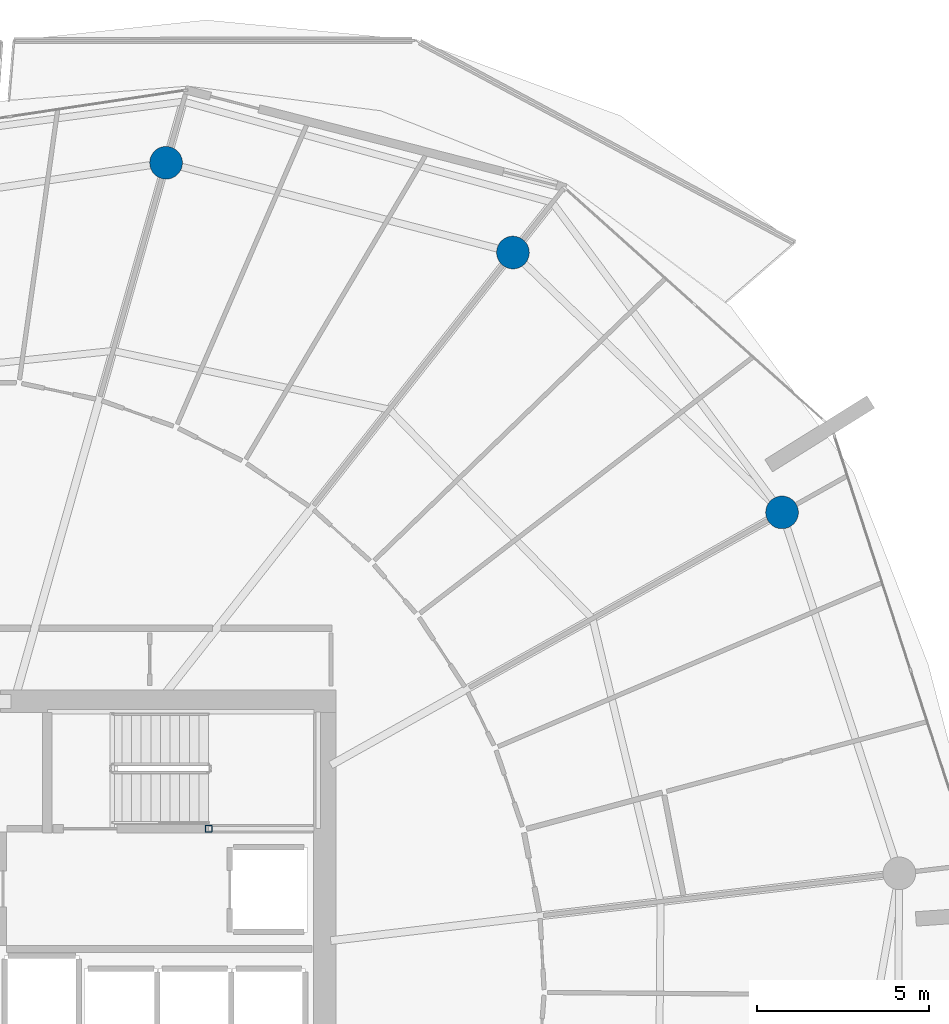
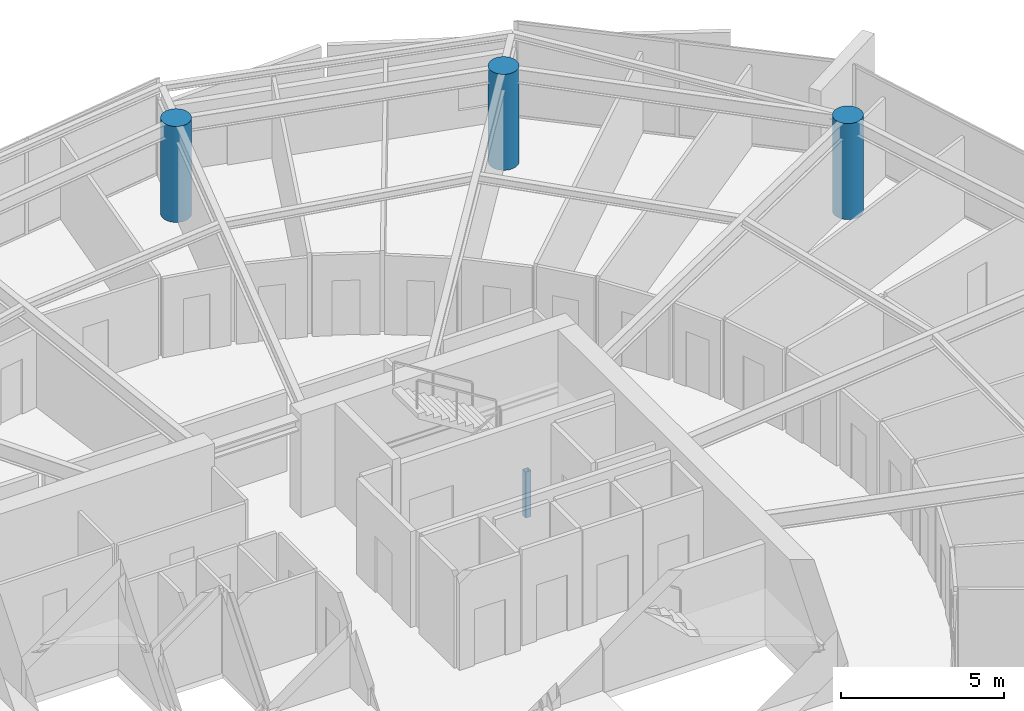
# One storey, part 5 of 30: 4 columns.
"""IFC4 building model written with IfcOpenShell, lengths in metres."""

from ifc_helpers import new_model, si_unit, direction, frame, origin, origin_2d, place, context, subcontext, project, spatial, hollow_rectangle, circle, extrude, material, material_profile, profile_set, type_object, element, save


model = new_model("IFC4")

# Units and contexts
model_context = context("Model", 3, precision=1e-05, world=origin(), true_north=direction((0.0, 1.0)))
body_context = subcontext(model_context, "Body", "Model", "MODEL_VIEW")
ifc_project = project(units=[si_unit("LENGTHUNIT", "METRE"), si_unit("AREAUNIT", "SQUARE_METRE"), si_unit("VOLUMEUNIT", "CUBIC_METRE"), si_unit("PLANEANGLEUNIT", "RADIAN"), si_unit("MASSUNIT", "GRAM", prefix="KILO")], contexts=[model_context])

# Site, building, storey
site_placement = place(None, origin())
site = spatial("IfcSite", under=ifc_project, at=site_placement, CompositionType="ELEMENT")
building_placement = place(site_placement, origin())
building = spatial("IfcBuilding", under=site, at=building_placement, Name="Kazma Halo Residences", CompositionType="ELEMENT")
storey_placement = place(building_placement, frame((0.0, 0.0, 263.64990234375)))
storey = spatial("IfcBuildingStorey", under=building, at=storey_placement, Name="L66", CompositionType="ELEMENT", Elevation=263.64990234375)

# Columns
ifc_material_1 = material(Name="Steel S355", Category="steel")
ifc_material_profile_1 = material_profile(ifc_material_1, hollow_rectangle(XDim=0.199951171875, YDim=0.199951171875, WallThickness=0.010009765625, InnerFilletRadius=0.010009765625, OuterFilletRadius=0.02001953125, at=origin_2d()), Name="SHS200x200x10")
ifc_profile_set_1 = profile_set([ifc_material_profile_1], Name="Steel S355")
column_type_1 = type_object("IfcColumnType", Name="COL-LP-SHS200", PredefinedType="COLUMN", material=ifc_profile_set_1)
column_placement = place(storey_placement, frame((56.0, 46.6201171875, 0.0), z_axis=(0.0, 0.0, 1.0), x_axis=(1.0, 0.0, 0.0)))
element("IfcColumn", 1, at=column_placement, inside=storey, type_object=column_type_1, Name="L66 ST-02 landing pilaster 1", PredefinedType="COLUMN", context=body_context, shape_type="SweptSolid", body=[
    extrude(hollow_rectangle(XDim=0.199951171875, YDim=0.199951171875, WallThickness=0.010009765625, InnerFilletRadius=0.010009765625, OuterFilletRadius=0.02001953125, at=origin_2d()), origin(), (0.0, 0.0, 1.0), 1.72021484375),
])
ifc_material_2 = material(Name="Concrete C60/75", Category="concrete")
ifc_material_profile_2 = material_profile(ifc_material_2, circle(Radius=0.47509765625, at=origin_2d()), Name="CIRC950")
ifc_profile_set_2 = profile_set([ifc_material_profile_2], Name="Concrete C60/75")
column_type_2 = type_object("IfcColumnType", Name="COL-PERIM-950", PredefinedType="COLUMN", material=ifc_profile_set_2)
for number, where, z_axis, x_axis, name in (
    (2, (72.67041015625, 55.81591796875, 0.0), (0.0, 0.0, 1.0), (1.0, 0.0, 0.0), "L66 perimeter ring column P01"),
    (3, (64.84716796875, 63.37060546875, 0.0), (0.0, 0.0, 1.0), (1.0, 0.0, 0.0), "L66 perimeter ring column P02"),
    (4, (54.762939453125, 65.9794921875, 0.0), (0.0, 0.0, 1.0), (1.0, 0.0, 0.0), "L66 perimeter ring column P03"),
):
    element("IfcColumn", number, at=place(storey_placement, frame(where, z_axis=z_axis, x_axis=x_axis)), inside=storey, type_object=column_type_2, Name=name, PredefinedType="COLUMN", context=body_context, shape_type="SweptSolid", body=[
        extrude(circle(Radius=0.47509765625, at=origin_2d()), origin(), (0.0, 0.0, 1.0), 3.590087890625),
    ])

save(model, "model.ifc")
